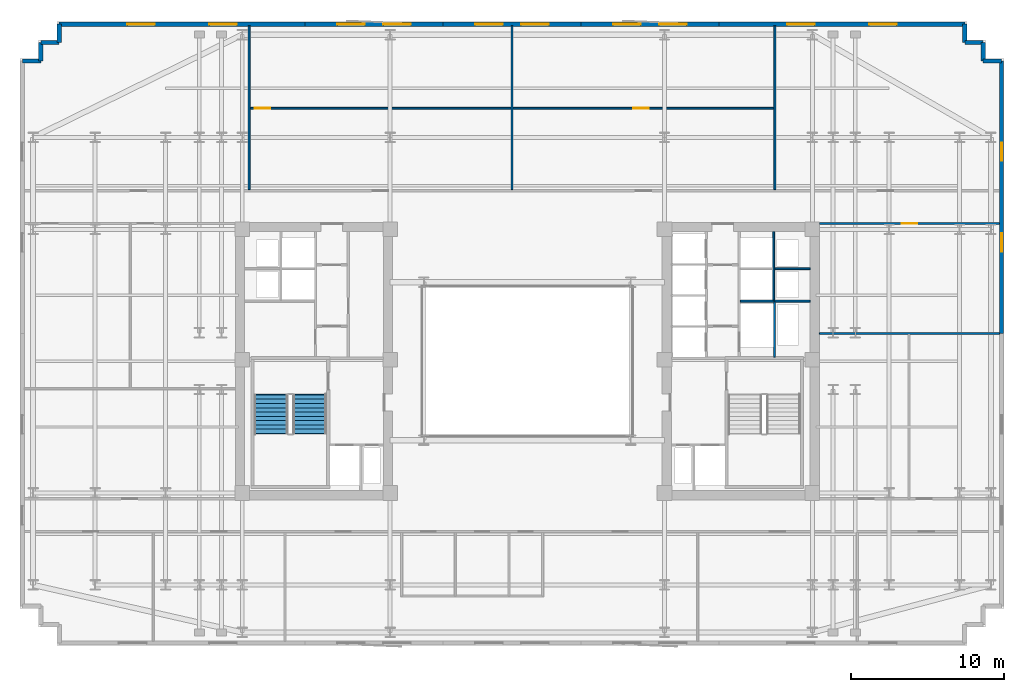
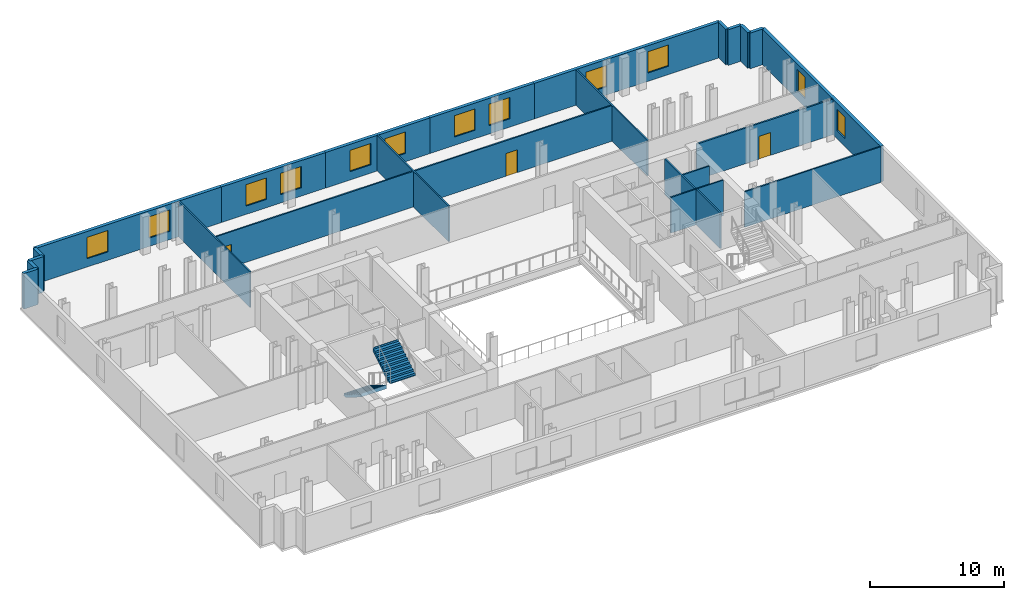
# One storey, part 7 of 10: 24 walls, 12 windows, 3 doors, 2 stair flights, 15 openings, 1 element without a shape of its own.
"""IFC4 building model written with IfcOpenShell, lengths in metres."""

from ifc_helpers import new_model, si_unit, direction, frame, frame_2d, origin, place, context, subcontext, project, spatial, polyline, rectangle, outline, extrude, material, layer, layer_set, type_object, element, fill, aggregate, save


model = new_model("IFC4")

# Units and contexts
model_context = context("Model", 3, precision=1e-05, world=origin(), true_north=direction((0.0, 1.0)))
body_context = subcontext(model_context, "Body", "Model", "MODEL_VIEW")
ifc_project = project(units=[si_unit("LENGTHUNIT", "METRE"), si_unit("AREAUNIT", "SQUARE_METRE"), si_unit("VOLUMEUNIT", "CUBIC_METRE"), si_unit("PLANEANGLEUNIT", "RADIAN"), si_unit("MASSUNIT", "GRAM", prefix="KILO")], contexts=[model_context])

# Site, building, storey
site_placement = place(None, origin())
site = spatial("IfcSite", under=ifc_project, at=site_placement, CompositionType="ELEMENT")
building_placement = place(site_placement, origin())
building = spatial("IfcBuilding", under=site, at=building_placement, Name="Velakula Bourse", CompositionType="ELEMENT")
storey_placement = place(building_placement, frame((0.0, 0.0, 141.550048828125)))
storey = spatial("IfcBuildingStorey", under=building, at=storey_placement, Name="L38", CompositionType="ELEMENT", Elevation=141.550048828125)

# Wall, openings, windows
ifc_material_1 = material(Name="Red kilned clay facing brick masonry", Category="masonry")
ifc_layer_1 = layer(ifc_material_1, 0.280029296875, Name="Red kilned clay facing brick masonry", Category="masonry")
ifc_layer_set_1 = layer_set([ifc_layer_1], Name="Red kilned clay facing brick masonry")
wall_type_1 = type_object("IfcWallType", Name="WL-EXT-BRK-280", PredefinedType="STANDARD", material=ifc_layer_set_1)
wall_1_placement = place(storey_placement, frame((-30.5400390625, 21.989990234375, 0.0), z_axis=(0.0, 0.0, 1.0), x_axis=(1.0, 0.0, 0.0)))
wall_1 = element("IfcWall", 1, at=wall_1_placement, inside=storey, type_object=wall_type_1, Name="L38 N Brick Spandrel Wall B1", PredefinedType="STANDARD", context=body_context, shape_type="SweptSolid", body=[
    extrude(rectangle(XDim=16.0400390625, YDim=0.280029296875, at=frame_2d((8.02001953125, 0.0))), origin(), (0.0, 0.0, 1.0), 3.25),
])
opening_1_placement = place(wall_1_placement, frame((4.44677734375, 0.0, 0.760009765625)))
opening_1 = element("IfcOpeningElement", 2, at=opening_1_placement, cuts=wall_1, Name="Opening W-01", PredefinedType="OPENING", context=body_context, shape_type="SweptSolid", body=[
    extrude(rectangle(XDim=1.800048828125, YDim=1.949951171875, at=frame_2d((0.89990234375, 0.97509765625))), frame((0.0, 0.14990234375, 0.0), z_axis=(0.0, -1.0, 0.0), x_axis=(1.0, 0.0, 0.0)), (0.0, 0.0, 1.0), 0.300048828125),
])
opening_2_placement = place(wall_1_placement, frame((9.793212890625, 0.0, 0.760009765625)))
opening_2 = element("IfcOpeningElement", 3, at=opening_2_placement, cuts=wall_1, Name="Opening W-01", PredefinedType="OPENING", context=body_context, shape_type="SweptSolid", body=[
    extrude(rectangle(XDim=1.800048828125, YDim=1.949951171875, at=frame_2d((0.89990234375, 0.97509765625))), frame((0.0, 0.14990234375, 0.0), z_axis=(0.0, -1.0, 0.0), x_axis=(1.0, 0.0, 0.0)), (0.0, 0.0, 1.0), 0.300048828125),
])
ifc_material_2 = material(Name="Double-glazed solar-control Low-E glass", Category="glass")
window_type_1 = type_object("IfcWindowType", Name="WIN-TWR-1800x2100", PartitioningType="SINGLE_PANEL", PredefinedType="WINDOW", material=ifc_material_2)
window_1_placement = place(opening_1_placement, origin())
window_1 = element("IfcWindow", 4, at=window_1_placement, inside=storey, type_object=window_type_1, Name="L38 Deep-Set Recessed Window 1", OverallHeight=1.949951171875, OverallWidth=1.800048828125, PartitioningType="SINGLE_PANEL", PredefinedType="WINDOW", context=body_context, shape_type="SweptSolid", body=[
    extrude(rectangle(XDim=1.800048828125, YDim=1.949951171875, at=frame_2d((0.89990234375, 0.97509765625))), frame((0.0, 0.030029296875, 0.0), z_axis=(0.0, -1.0, 0.0), x_axis=(1.0, 0.0, 0.0)), (0.0, 0.0, 1.0), 0.06005859375),
])
fill(opening_1, window_1)
window_2_placement = place(opening_2_placement, origin())
window_2 = element("IfcWindow", 5, at=window_2_placement, inside=storey, type_object=window_type_1, Name="L38 Deep-Set Recessed Window 2", OverallHeight=1.949951171875, OverallWidth=1.800048828125, PartitioningType="SINGLE_PANEL", PredefinedType="WINDOW", context=body_context, shape_type="SweptSolid", body=[
    extrude(rectangle(XDim=1.800048828125, YDim=1.949951171875, at=frame_2d((0.89990234375, 0.97509765625))), frame((0.0, 0.030029296875, 0.0), z_axis=(0.0, -1.0, 0.0), x_axis=(1.0, 0.0, 0.0)), (0.0, 0.0, 1.0), 0.06005859375),
])
fill(opening_2, window_2)

wall_2_placement = place(storey_placement, frame((-14.5, 21.989990234375, 0.0), z_axis=(0.0, 0.0, 1.0), x_axis=(1.0, 0.0, 0.0)))
wall_2 = element("IfcWall", 6, at=wall_2_placement, inside=storey, type_object=wall_type_1, Name="L38 N Brick Spandrel Wall B2", PredefinedType="STANDARD", context=body_context, shape_type="SweptSolid", body=[
    extrude(rectangle(XDim=9.0, YDim=0.280029296875, at=frame_2d((4.5, 0.0))), origin(), (0.0, 0.0, 1.0), 3.25),
])
opening_3_placement = place(wall_2_placement, frame((2.10009765625, 0.0, 0.760009765625)))
opening_3 = element("IfcOpeningElement", 7, at=opening_3_placement, cuts=wall_2, Name="Opening W-01", PredefinedType="OPENING", context=body_context, shape_type="SweptSolid", body=[
    extrude(rectangle(XDim=1.800048828125, YDim=1.949951171875, at=frame_2d((0.89990234375, 0.97509765625))), frame((0.0, 0.14990234375, 0.0), z_axis=(0.0, -1.0, 0.0), x_axis=(1.0, 0.0, 0.0)), (0.0, 0.0, 1.0), 0.300048828125),
])
opening_4_placement = place(wall_2_placement, frame((5.10009765625, 0.0, 0.760009765625)))
opening_4 = element("IfcOpeningElement", 8, at=opening_4_placement, cuts=wall_2, Name="Opening W-01", PredefinedType="OPENING", context=body_context, shape_type="SweptSolid", body=[
    extrude(rectangle(XDim=1.800048828125, YDim=1.949951171875, at=frame_2d((0.89990234375, 0.97509765625))), frame((0.0, 0.14990234375, 0.0), z_axis=(0.0, -1.0, 0.0), x_axis=(1.0, 0.0, 0.0)), (0.0, 0.0, 1.0), 0.300048828125),
])
window_3_placement = place(opening_3_placement, origin())
window_3 = element("IfcWindow", 9, at=window_3_placement, inside=storey, type_object=window_type_1, Name="L38 Deep-Set Recessed Window 1", OverallHeight=1.949951171875, OverallWidth=1.800048828125, PartitioningType="SINGLE_PANEL", PredefinedType="WINDOW", context=body_context, shape_type="SweptSolid", body=[
    extrude(rectangle(XDim=1.800048828125, YDim=1.949951171875, at=frame_2d((0.89990234375, 0.97509765625))), frame((0.0, 0.030029296875, 0.0), z_axis=(0.0, -1.0, 0.0), x_axis=(1.0, 0.0, 0.0)), (0.0, 0.0, 1.0), 0.06005859375),
])
fill(opening_3, window_3)
window_4_placement = place(opening_4_placement, origin())
window_4 = element("IfcWindow", 10, at=window_4_placement, inside=storey, type_object=window_type_1, Name="L38 Deep-Set Recessed Window 2", OverallHeight=1.949951171875, OverallWidth=1.800048828125, PartitioningType="SINGLE_PANEL", PredefinedType="WINDOW", context=body_context, shape_type="SweptSolid", body=[
    extrude(rectangle(XDim=1.800048828125, YDim=1.949951171875, at=frame_2d((0.89990234375, 0.97509765625))), frame((0.0, 0.030029296875, 0.0), z_axis=(0.0, -1.0, 0.0), x_axis=(1.0, 0.0, 0.0)), (0.0, 0.0, 1.0), 0.06005859375),
])
fill(opening_4, window_4)

wall_3_placement = place(storey_placement, frame((-5.5, 21.989990234375, 0.0), z_axis=(0.0, 0.0, 1.0), x_axis=(1.0, 0.0, 0.0)))
wall_3 = element("IfcWall", 11, at=wall_3_placement, inside=storey, type_object=wall_type_1, Name="L38 N Brick Spandrel Wall B3", PredefinedType="STANDARD", context=body_context, shape_type="SweptSolid", body=[
    extrude(rectangle(XDim=9.0, YDim=0.280029296875, at=frame_2d((4.5, 0.0))), origin(), (0.0, 0.0, 1.0), 3.25),
])
opening_5_placement = place(wall_3_placement, frame((2.10009765625, 0.0, 0.760009765625)))
opening_5 = element("IfcOpeningElement", 12, at=opening_5_placement, cuts=wall_3, Name="Opening W-01", PredefinedType="OPENING", context=body_context, shape_type="SweptSolid", body=[
    extrude(rectangle(XDim=1.800048828125, YDim=1.949951171875, at=frame_2d((0.89990234375, 0.97509765625))), frame((0.0, 0.14990234375, 0.0), z_axis=(0.0, -1.0, 0.0), x_axis=(1.0, 0.0, 0.0)), (0.0, 0.0, 1.0), 0.300048828125),
])
opening_6_placement = place(wall_3_placement, frame((5.10009765625, 0.0, 0.760009765625)))
opening_6 = element("IfcOpeningElement", 13, at=opening_6_placement, cuts=wall_3, Name="Opening W-01", PredefinedType="OPENING", context=body_context, shape_type="SweptSolid", body=[
    extrude(rectangle(XDim=1.800048828125, YDim=1.949951171875, at=frame_2d((0.89990234375, 0.97509765625))), frame((0.0, 0.14990234375, 0.0), z_axis=(0.0, -1.0, 0.0), x_axis=(1.0, 0.0, 0.0)), (0.0, 0.0, 1.0), 0.300048828125),
])
window_5_placement = place(opening_5_placement, origin())
window_5 = element("IfcWindow", 14, at=window_5_placement, inside=storey, type_object=window_type_1, Name="L38 Deep-Set Recessed Window 1", OverallHeight=1.949951171875, OverallWidth=1.800048828125, PartitioningType="SINGLE_PANEL", PredefinedType="WINDOW", context=body_context, shape_type="SweptSolid", body=[
    extrude(rectangle(XDim=1.800048828125, YDim=1.949951171875, at=frame_2d((0.89990234375, 0.97509765625))), frame((0.0, 0.030029296875, 0.0), z_axis=(0.0, -1.0, 0.0), x_axis=(1.0, 0.0, 0.0)), (0.0, 0.0, 1.0), 0.06005859375),
])
fill(opening_5, window_5)
window_6_placement = place(opening_6_placement, origin())
window_6 = element("IfcWindow", 15, at=window_6_placement, inside=storey, type_object=window_type_1, Name="L38 Deep-Set Recessed Window 2", OverallHeight=1.949951171875, OverallWidth=1.800048828125, PartitioningType="SINGLE_PANEL", PredefinedType="WINDOW", context=body_context, shape_type="SweptSolid", body=[
    extrude(rectangle(XDim=1.800048828125, YDim=1.949951171875, at=frame_2d((0.89990234375, 0.97509765625))), frame((0.0, 0.030029296875, 0.0), z_axis=(0.0, -1.0, 0.0), x_axis=(1.0, 0.0, 0.0)), (0.0, 0.0, 1.0), 0.06005859375),
])
fill(opening_6, window_6)

wall_4_placement = place(storey_placement, frame((3.5, 21.989990234375, 0.0), z_axis=(0.0, 0.0, 1.0), x_axis=(1.0, 0.0, 0.0)))
wall_4 = element("IfcWall", 16, at=wall_4_placement, inside=storey, type_object=wall_type_1, Name="L38 N Brick Spandrel Wall B4", PredefinedType="STANDARD", context=body_context, shape_type="SweptSolid", body=[
    extrude(rectangle(XDim=9.0, YDim=0.280029296875, at=frame_2d((4.5, 0.0))), origin(), (0.0, 0.0, 1.0), 3.25),
])
opening_7_placement = place(wall_4_placement, frame((2.10009765625, 0.0, 0.760009765625)))
opening_7 = element("IfcOpeningElement", 17, at=opening_7_placement, cuts=wall_4, Name="Opening W-01", PredefinedType="OPENING", context=body_context, shape_type="SweptSolid", body=[
    extrude(rectangle(XDim=1.800048828125, YDim=1.949951171875, at=frame_2d((0.89990234375, 0.97509765625))), frame((0.0, 0.14990234375, 0.0), z_axis=(0.0, -1.0, 0.0), x_axis=(1.0, 0.0, 0.0)), (0.0, 0.0, 1.0), 0.300048828125),
])
opening_8_placement = place(wall_4_placement, frame((5.10009765625, 0.0, 0.760009765625)))
opening_8 = element("IfcOpeningElement", 18, at=opening_8_placement, cuts=wall_4, Name="Opening W-01", PredefinedType="OPENING", context=body_context, shape_type="SweptSolid", body=[
    extrude(rectangle(XDim=1.800048828125, YDim=1.949951171875, at=frame_2d((0.89990234375, 0.97509765625))), frame((0.0, 0.14990234375, 0.0), z_axis=(0.0, -1.0, 0.0), x_axis=(1.0, 0.0, 0.0)), (0.0, 0.0, 1.0), 0.300048828125),
])
window_7_placement = place(opening_7_placement, origin())
window_7 = element("IfcWindow", 19, at=window_7_placement, inside=storey, type_object=window_type_1, Name="L38 Deep-Set Recessed Window 1", OverallHeight=1.949951171875, OverallWidth=1.800048828125, PartitioningType="SINGLE_PANEL", PredefinedType="WINDOW", context=body_context, shape_type="SweptSolid", body=[
    extrude(rectangle(XDim=1.800048828125, YDim=1.949951171875, at=frame_2d((0.89990234375, 0.97509765625))), frame((0.0, 0.030029296875, 0.0), z_axis=(0.0, -1.0, 0.0), x_axis=(1.0, 0.0, 0.0)), (0.0, 0.0, 1.0), 0.06005859375),
])
fill(opening_7, window_7)
window_8_placement = place(opening_8_placement, origin())
window_8 = element("IfcWindow", 20, at=window_8_placement, inside=storey, type_object=window_type_1, Name="L38 Deep-Set Recessed Window 2", OverallHeight=1.949951171875, OverallWidth=1.800048828125, PartitioningType="SINGLE_PANEL", PredefinedType="WINDOW", context=body_context, shape_type="SweptSolid", body=[
    extrude(rectangle(XDim=1.800048828125, YDim=1.949951171875, at=frame_2d((0.89990234375, 0.97509765625))), frame((0.0, 0.030029296875, 0.0), z_axis=(0.0, -1.0, 0.0), x_axis=(1.0, 0.0, 0.0)), (0.0, 0.0, 1.0), 0.06005859375),
])
fill(opening_8, window_8)

wall_5_placement = place(storey_placement, frame((12.5, 21.989990234375, 0.0), z_axis=(0.0, 0.0, 1.0), x_axis=(1.0, 0.0, 0.0)))
wall_5 = element("IfcWall", 21, at=wall_5_placement, inside=storey, type_object=wall_type_1, Name="L38 N Brick Spandrel Wall B5", PredefinedType="STANDARD", context=body_context, shape_type="SweptSolid", body=[
    extrude(rectangle(XDim=16.0400390625, YDim=0.280029296875, at=frame_2d((8.02001953125, 0.0))), origin(), (0.0, 0.0, 1.0), 3.25),
])
opening_9_placement = place(wall_5_placement, frame((4.44677734375, 0.0, 0.760009765625)))
opening_9 = element("IfcOpeningElement", 22, at=opening_9_placement, cuts=wall_5, Name="Opening W-01", PredefinedType="OPENING", context=body_context, shape_type="SweptSolid", body=[
    extrude(rectangle(XDim=1.800048828125, YDim=1.949951171875, at=frame_2d((0.89990234375, 0.97509765625))), frame((0.0, 0.14990234375, 0.0), z_axis=(0.0, -1.0, 0.0), x_axis=(1.0, 0.0, 0.0)), (0.0, 0.0, 1.0), 0.300048828125),
])
opening_10_placement = place(wall_5_placement, frame((9.793212890625, 0.0, 0.760009765625)))
opening_10 = element("IfcOpeningElement", 23, at=opening_10_placement, cuts=wall_5, Name="Opening W-01", PredefinedType="OPENING", context=body_context, shape_type="SweptSolid", body=[
    extrude(rectangle(XDim=1.800048828125, YDim=1.949951171875, at=frame_2d((0.89990234375, 0.97509765625))), frame((0.0, 0.14990234375, 0.0), z_axis=(0.0, -1.0, 0.0), x_axis=(1.0, 0.0, 0.0)), (0.0, 0.0, 1.0), 0.300048828125),
])
window_9_placement = place(opening_9_placement, origin())
window_9 = element("IfcWindow", 24, at=window_9_placement, inside=storey, type_object=window_type_1, Name="L38 Deep-Set Recessed Window 1", OverallHeight=1.949951171875, OverallWidth=1.800048828125, PartitioningType="SINGLE_PANEL", PredefinedType="WINDOW", context=body_context, shape_type="SweptSolid", body=[
    extrude(rectangle(XDim=1.800048828125, YDim=1.949951171875, at=frame_2d((0.89990234375, 0.97509765625))), frame((0.0, 0.030029296875, 0.0), z_axis=(0.0, -1.0, 0.0), x_axis=(1.0, 0.0, 0.0)), (0.0, 0.0, 1.0), 0.06005859375),
])
fill(opening_9, window_9)
window_10_placement = place(opening_10_placement, origin())
window_10 = element("IfcWindow", 25, at=window_10_placement, inside=storey, type_object=window_type_1, Name="L38 Deep-Set Recessed Window 2", OverallHeight=1.949951171875, OverallWidth=1.800048828125, PartitioningType="SINGLE_PANEL", PredefinedType="WINDOW", context=body_context, shape_type="SweptSolid", body=[
    extrude(rectangle(XDim=1.800048828125, YDim=1.949951171875, at=frame_2d((0.89990234375, 0.97509765625))), frame((0.0, 0.030029296875, 0.0), z_axis=(0.0, -1.0, 0.0), x_axis=(1.0, 0.0, 0.0)), (0.0, 0.0, 1.0), 0.06005859375),
])
fill(opening_10, window_10)

wall_6_placement = place(storey_placement, frame((30.93994140625, 19.590087890625, 0.0), z_axis=(0.0, 0.0, 1.0), x_axis=(0.0, -1.0, 0.0)))
wall_6 = element("IfcWall", 26, at=wall_6_placement, inside=storey, type_object=wall_type_1, Name="L38 E Brick End Wall W2", PredefinedType="STANDARD", context=body_context, shape_type="SweptSolid", body=[
    extrude(rectangle(XDim=17.7900390625, YDim=0.280029296875, at=frame_2d((8.89501953125, 0.0))), origin(), (0.0, 0.0, 1.0), 3.25),
])
opening_11_placement = place(wall_6_placement, frame((5.330078125, 0.0, 0.760009765625)))
opening_11 = element("IfcOpeningElement", 27, at=opening_11_placement, cuts=wall_6, Name="Opening W-04", PredefinedType="OPENING", context=body_context, shape_type="SweptSolid", body=[
    extrude(rectangle(XDim=1.199951171875, YDim=1.949951171875, at=frame_2d((0.60009765625, 0.97509765625))), frame((0.0, 0.14990234375, 0.0), z_axis=(0.0, -1.0, 0.0), x_axis=(1.0, 0.0, 0.0)), (0.0, 0.0, 1.0), 0.300048828125),
])
opening_12_placement = place(wall_6_placement, frame((11.260009765625, 0.0, 0.760009765625)))
opening_12 = element("IfcOpeningElement", 28, at=opening_12_placement, cuts=wall_6, Name="Opening W-04", PredefinedType="OPENING", context=body_context, shape_type="SweptSolid", body=[
    extrude(rectangle(XDim=1.199951171875, YDim=1.949951171875, at=frame_2d((0.60009765625, 0.97509765625))), frame((0.0, 0.14990234375, 0.0), z_axis=(0.0, -1.0, 0.0), x_axis=(1.0, 0.0, 0.0)), (0.0, 0.0, 1.0), 0.300048828125),
])
window_type_2 = type_object("IfcWindowType", Name="WIN-TWR-1200x2100", PartitioningType="SINGLE_PANEL", PredefinedType="WINDOW", material=ifc_material_2)
window_11_placement = place(opening_11_placement, origin())
window_11 = element("IfcWindow", 29, at=window_11_placement, inside=storey, type_object=window_type_2, Name="L38 Deep-Set Recessed Window 1", OverallHeight=1.949951171875, OverallWidth=1.199951171875, PartitioningType="SINGLE_PANEL", PredefinedType="WINDOW", context=body_context, shape_type="SweptSolid", body=[
    extrude(rectangle(XDim=1.199951171875, YDim=1.949951171875, at=frame_2d((0.60009765625, 0.97509765625))), frame((0.0, 0.030029296875, 0.0), z_axis=(0.0, -1.0, 0.0), x_axis=(1.0, 0.0, 0.0)), (0.0, 0.0, 1.0), 0.06005859375),
])
fill(opening_11, window_11)
window_12_placement = place(opening_12_placement, origin())
window_12 = element("IfcWindow", 30, at=window_12_placement, inside=storey, type_object=window_type_2, Name="L38 Deep-Set Recessed Window 2", OverallHeight=1.949951171875, OverallWidth=1.199951171875, PartitioningType="SINGLE_PANEL", PredefinedType="WINDOW", context=body_context, shape_type="SweptSolid", body=[
    extrude(rectangle(XDim=1.199951171875, YDim=1.949951171875, at=frame_2d((0.60009765625, 0.97509765625))), frame((0.0, 0.030029296875, 0.0), z_axis=(0.0, -1.0, 0.0), x_axis=(1.0, 0.0, 0.0)), (0.0, 0.0, 1.0), 0.06005859375),
])
fill(opening_12, window_12)

# Walls
for number, where, z_axis, x_axis, name in (
    (31, (30.93994140625, 19.590087890625, 0.0), (0.0, 0.0, 1.0), (-1.0, 0.0, 0.0), "L38 Serrated Corner Brick Wall NE-1"),
    (32, (29.739990234375, 19.590087890625, 0.0), (0.0, 0.0, 1.0), (0.0, 1.0, 0.0), "L38 Serrated Corner Brick Wall NE-2"),
    (33, (29.739990234375, 20.7900390625, 0.0), (0.0, 0.0, 1.0), (-1.0, 0.0, 0.0), "L38 Serrated Corner Brick Wall NE-3"),
    (34, (28.5400390625, 20.7900390625, 0.0), (0.0, 0.0, 1.0), (0.0, 1.0, 0.0), "L38 Serrated Corner Brick Wall NE-4"),
    (35, (-30.5400390625, 21.989990234375, 0.0), (0.0, 0.0, 1.0), (0.0, -1.0, 0.0), "L38 Serrated Corner Brick Wall NW-1"),
    (36, (-30.5400390625, 20.7900390625, 0.0), (0.0, 0.0, 1.0), (-1.0, 0.0, 0.0), "L38 Serrated Corner Brick Wall NW-2"),
    (37, (-31.739990234375, 20.7900390625, 0.0), (0.0, 0.0, 1.0), (0.0, -1.0, 0.0), "L38 Serrated Corner Brick Wall NW-3"),
    (38, (-31.739990234375, 19.590087890625, 0.0), (0.0, 0.0, 1.0), (-1.0, 0.0, 0.0), "L38 Serrated Corner Brick Wall NW-4"),
):
    element("IfcWall", number, at=place(storey_placement, frame(where, z_axis=z_axis, x_axis=x_axis)), inside=storey, type_object=wall_type_1, Name=name, PredefinedType="STANDARD", context=body_context, shape_type="SweptSolid", body=[
        extrude(rectangle(XDim=1.199951171875, YDim=0.280029296875, at=frame_2d((0.60009765625, 0.0))), origin(), (0.0, 0.0, 1.0), 3.25),
    ])
ifc_material_3 = material(Name="Fire-rated double-layer gypsum drywall partition", Category="gypsum")
ifc_layer_2 = layer(ifc_material_3, 0.1201171875, Name="Fire-rated double-layer gypsum drywall partition", Category="gypsum")
ifc_layer_set_2 = layer_set([ifc_layer_2], Name="Fire-rated double-layer gypsum drywall partition")
wall_type_2 = type_object("IfcWallType", Name="WL-PART-120", PredefinedType="STANDARD", material=ifc_layer_set_2)
wall_7_placement = place(storey_placement, frame((13.89990234375, 3.919921875, 0.0), z_axis=(0.0, 0.0, 1.0), x_axis=(1.0, 0.0, 0.0)))
element("IfcWall", 39, at=wall_7_placement, inside=storey, type_object=wall_type_2, Name="L38 Interior Partition WL-CRE-L38-HI-S", PredefinedType="STANDARD", context=body_context, shape_type="SweptSolid", body=[
    extrude(rectangle(XDim=4.550048828125, YDim=0.1201171875, at=frame_2d((2.27490234375, 0.0))), origin(), (0.0, 0.0, 1.0), 3.25),
])
wall_8_placement = place(storey_placement, frame((16.14990234375, 6.030029296875, 0.0), z_axis=(0.0, 0.0, 1.0), x_axis=(1.0, 0.0, 0.0)))
element("IfcWall", 40, at=wall_8_placement, inside=storey, type_object=wall_type_2, Name="L38 Interior Partition WL-CRE-L38-RIS-MID", PredefinedType="STANDARD", context=body_context, shape_type="SweptSolid", body=[
    extrude(rectangle(XDim=2.300048828125, YDim=0.1201171875, at=frame_2d((1.14990234375, 0.0))), origin(), (0.0, 0.0, 1.0), 3.25),
])
wall_9_placement = place(storey_placement, frame((16.074951171875, 3.97998046875, 0.0), z_axis=(0.0, 0.0, 1.0), x_axis=(0.0, 1.0, 0.0)))
element("IfcWall", 41, at=wall_9_placement, inside=storey, type_object=wall_type_2, Name="L38 Interior Partition WL-CRE-L38-RIS-F", PredefinedType="STANDARD", context=body_context, shape_type="SweptSolid", body=[
    extrude(rectangle(XDim=4.469970703125, YDim=0.1201171875, at=frame_2d((2.23486328125, 0.0))), origin(), (0.0, 0.0, 1.0), 3.25),
])
wall_10_placement = place(storey_placement, frame((16.125, 0.27001953125, 0.0), z_axis=(0.0, 0.0, 1.0), x_axis=(0.0, 1.0, 0.0)))
element("IfcWall", 42, at=wall_10_placement, inside=storey, type_object=wall_type_2, Name="L38 Interior Partition WL-CRE-L38-SVL-E", PredefinedType="STANDARD", context=body_context, shape_type="SweptSolid", body=[
    extrude(rectangle(XDim=3.590087890625, YDim=0.1201171875, at=frame_2d((1.794921875, 0.0))), origin(), (0.0, 0.0, 1.0), 3.25),
])
for number, where, z_axis, x_axis, name in (
    (43, (-18.14990234375, 11.18994140625, 0.0), (0.0, 0.0, 1.0), (0.0, 1.0, 0.0), "L38 Interior Partition WL-INT-L38-N-D1"),
    (44, (-1.0, 11.18994140625, 0.0), (0.0, 0.0, 1.0), (0.0, 1.0, 0.0), "L38 Interior Partition WL-INT-L38-N-D2"),
    (45, (16.14990234375, 11.18994140625, 0.0), (0.0, 0.0, 1.0), (0.0, 1.0, 0.0), "L38 Interior Partition WL-INT-L38-N-D3"),
):
    element("IfcWall", number, at=place(storey_placement, frame(where, z_axis=z_axis, x_axis=x_axis)), inside=storey, type_object=wall_type_2, Name=name, PredefinedType="STANDARD", context=body_context, shape_type="SweptSolid", body=[
        extrude(rectangle(XDim=10.68017578125, YDim=0.1201171875, at=frame_2d((5.340087890625, 0.0))), origin(), (0.0, 0.0, 1.0), 3.25),
    ])

# Wall, openings, doors
wall_11_placement = place(storey_placement, frame((-18.090087890625, 16.5, 0.0), z_axis=(0.0, 0.0, 1.0), x_axis=(1.0, 0.0, 0.0)))
wall_11 = element("IfcWall", 46, at=wall_11_placement, inside=storey, type_object=wall_type_2, Name="L38 Interior Partition WL-INT-L38-N-MID", PredefinedType="STANDARD", context=body_context, shape_type="SweptSolid", body=[
    extrude(rectangle(XDim=34.18017578125, YDim=0.1201171875, at=frame_2d((17.090087890625, 0.0))), origin(), (0.0, 0.0, 1.0), 3.25),
])
opening_13_placement = place(wall_11_placement, frame((0.320068359375, 0.0, 0.0)))
opening_13 = element("IfcOpeningElement", 47, at=opening_13_placement, cuts=wall_11, Name="Opening D-OF1", PredefinedType="OPENING", context=body_context, shape_type="SweptSolid", body=[
    extrude(rectangle(XDim=1.0, YDim=2.080078125, at=frame_2d((0.5, 1.0400390625))), frame((0.0, 0.070068359375, 0.0), z_axis=(0.0, -1.0, 0.0), x_axis=(1.0, 0.0, 0.0)), (0.0, 0.0, 1.0), 0.14013671875),
])
opening_14_placement = place(wall_11_placement, frame((25.0078125, 0.0, 0.0)))
opening_14 = element("IfcOpeningElement", 48, at=opening_14_placement, cuts=wall_11, Name="Opening D-OF1", PredefinedType="OPENING", context=body_context, shape_type="SweptSolid", body=[
    extrude(rectangle(XDim=1.0, YDim=2.080078125, at=frame_2d((0.5, 1.0400390625))), frame((0.0, 0.070068359375, 0.0), z_axis=(0.0, -1.0, 0.0), x_axis=(1.0, 0.0, 0.0)), (0.0, 0.0, 1.0), 0.14013671875),
])
ifc_material_4 = material(Name="Fire-rated hardwood flush architectural door", Category="wood")
door_type = type_object("IfcDoorType", Name="DR-OFF-1000", OperationType="NOTDEFINED", PredefinedType="DOOR", material=ifc_material_4)
door_1_placement = place(opening_13_placement, origin())
door_1 = element("IfcDoor", 49, at=door_1_placement, inside=storey, type_object=door_type, Name="L38 Disciplinary Hearing Room Door", OperationType="SINGLE_SWING_LEFT", OverallHeight=2.080078125, OverallWidth=1.0, PredefinedType="DOOR", context=body_context, shape_type="SweptSolid", body=[
    extrude(rectangle(XDim=1.0, YDim=2.080078125, at=frame_2d((0.5, 1.0400390625))), frame((0.0, 0.02490234375, 0.0), z_axis=(0.0, -1.0, 0.0), x_axis=(1.0, 0.0, 0.0)), (0.0, 0.0, 1.0), 0.050048828125),
])
fill(opening_13, door_1)
door_2_placement = place(opening_14_placement, origin())
door_2 = element("IfcDoor", 50, at=door_2_placement, inside=storey, type_object=door_type, Name="L38 Traders Pantry Door", OperationType="SINGLE_SWING_LEFT", OverallHeight=2.080078125, OverallWidth=1.0, PredefinedType="DOOR", context=body_context, shape_type="SweptSolid", body=[
    extrude(rectangle(XDim=1.0, YDim=2.080078125, at=frame_2d((0.5, 1.0400390625))), frame((0.0, 0.02490234375, 0.0), z_axis=(0.0, -1.0, 0.0), x_axis=(1.0, 0.0, 0.0)), (0.0, 0.0, 1.0), 0.050048828125),
])
fill(opening_14, door_2)

# Wall
wall_12_placement = place(storey_placement, frame((19.050048828125, 1.800048828125, 0.0), z_axis=(0.0, 0.0, 1.0), x_axis=(1.0, 0.0, 0.0)))
element("IfcWall", 51, at=wall_12_placement, inside=storey, type_object=wall_type_2, Name="L38 Interior Partition WL-INT-L38-E-H", PredefinedType="STANDARD", context=body_context, shape_type="SweptSolid", body=[
    extrude(rectangle(XDim=11.77001953125, YDim=0.1201171875, at=frame_2d((5.885009765625, 0.0))), origin(), (0.0, 0.0, 1.0), 3.25),
])

# Wall, opening, door
ifc_layer_3 = layer(ifc_material_3, 0.139892578125, Name="Fire-rated double-layer gypsum drywall partition", Category="gypsum")
ifc_layer_set_3 = layer_set([ifc_layer_3], Name="Fire-rated double-layer gypsum drywall partition")
wall_type_3 = type_object("IfcWallType", Name="WL-PART-140", PredefinedType="STANDARD", material=ifc_layer_set_3)
wall_13_placement = place(storey_placement, frame((19.050048828125, 8.97998046875, 0.0), z_axis=(0.0, 0.0, 1.0), x_axis=(1.0, 0.0, 0.0)))
wall_13 = element("IfcWall", 52, at=wall_13_placement, inside=storey, type_object=wall_type_3, Name="L38 Interior Partition WL-INT-L38-E-NC", PredefinedType="STANDARD", context=body_context, shape_type="SweptSolid", body=[
    extrude(rectangle(XDim=11.77001953125, YDim=0.139892578125, at=frame_2d((5.885009765625, 0.0))), origin(), (0.0, 0.0, 1.0), 3.25),
])
opening_15_placement = place(wall_13_placement, frame((5.385009765625, 0.0, 0.0)))
opening_15 = element("IfcOpeningElement", 53, at=opening_15_placement, cuts=wall_13, Name="Opening D-OF1", PredefinedType="OPENING", context=body_context, shape_type="SweptSolid", body=[
    extrude(rectangle(XDim=1.0, YDim=2.080078125, at=frame_2d((0.5, 1.0400390625))), frame((0.0, 0.079833984375, 0.0), z_axis=(0.0, -1.0, 0.0), x_axis=(1.0, 0.0, 0.0)), (0.0, 0.0, 1.0), 0.159912109375),
])
door_3_placement = place(opening_15_placement, origin())
door_3 = element("IfcDoor", 54, at=door_3_placement, inside=storey, type_object=door_type, Name="L38 Asset Allocation Office Door", OperationType="SINGLE_SWING_LEFT", OverallHeight=2.080078125, OverallWidth=1.0, PredefinedType="DOOR", context=body_context, shape_type="SweptSolid", body=[
    extrude(rectangle(XDim=1.0, YDim=2.080078125, at=frame_2d((0.5, 1.0400390625))), frame((0.0, 0.02490234375, 0.0), z_axis=(0.0, -1.0, 0.0), x_axis=(1.0, 0.0, 0.0)), (0.0, 0.0, 1.0), 0.050048828125),
])
fill(opening_15, door_3)

# Stair, stair flights
ifc_material_5 = material(Name="Concrete M45 (fck 45 MPa)", Category="concrete")
stair_type = type_object("IfcStairType", Name="STR-DOG-390", PredefinedType="HALF_TURN_STAIR", material=ifc_material_5)
stair_placement = place(storey_placement, origin())
stair = element("IfcStair", 55, at=stair_placement, inside=storey, type_object=stair_type, Name="L38 West Core Exit Stair ST-W1", PredefinedType="HALF_TURN_STAIR")
ifc_layer_4 = layer(ifc_material_5, 0.195068359375, Name="Concrete M45 (fck 45 MPa)", Category="concrete")
ifc_layer_set_4 = layer_set([ifc_layer_4], Name="Concrete M45 (fck 45 MPa)")
stair_flight_type = type_object("IfcStairFlightType", Name="FLT-DOG-390", PredefinedType="STRAIGHT", material=ifc_layer_set_4)
stair_flight_1_placement = place(storey_placement, frame((-16.720947265625, -2.199951171875, 0.0), z_axis=(0.0, 0.0, 1.0), x_axis=(0.0, -1.0, 0.0)))
stair_flight_1 = element("IfcStairFlight", 56, at=stair_flight_1_placement, type_object=stair_flight_type, Name="ST-W1 flight 1", NumberOfRisers=10, NumberOfTreads=9, PredefinedType="STRAIGHT", RiserHeight=0.1725, TreadLength=0.28, context=body_context, shape_type="SweptSolid", body=[
    extrude(outline(polyline([(-0.044921875, -0.0400390625), (-0.044921875, -0.036865234375), (-0.044921875, -0.033935546875), (-0.044921875, -0.03076171875), (-0.044921875, -0.027587890625), (-0.044921875, -0.024658203125), (-0.044921875, -0.021484375), (-0.044921875, -0.0185546875), (-0.044921875, -0.015380859375), (-0.044921875, -0.01220703125), (-0.044921875, -0.00927734375), (-0.044921875, -0.006103515625), (-0.044921875, -0.003173828125), (-0.044921875, 0.0), (0.0, 0.0), (0.0, 0.172607421875), (0.280029296875, 0.172607421875), (0.280029296875, 0.344970703125), (0.56005859375, 0.344970703125), (0.56005859375, 0.517578125), (0.840087890625, 0.517578125), (0.840087890625, 0.68994140625), (1.1201171875, 0.68994140625), (1.1201171875, 0.862548828125), (1.39990234375, 0.862548828125), (1.39990234375, 1.034912109375), (1.679931640625, 1.034912109375), (1.679931640625, 1.20751953125), (1.9599609375, 1.20751953125), (1.9599609375, 1.3798828125), (2.239990234375, 1.3798828125), (2.239990234375, 1.552490234375), (2.52001953125, 1.552490234375), (2.52001953125, 1.72509765625), (2.56494140625, 1.72509765625), (2.56494140625, 1.7001953125), (2.56494140625, 1.67529296875), (2.56494140625, 1.650390625), (2.56494140625, 1.62548828125), (2.56494140625, 1.6005859375), (2.56494140625, 1.57568359375), (2.56494140625, 1.55078125), (2.56494140625, 1.52587890625), (2.56494140625, 1.5009765625), (2.56494140625, 1.47607421875), (2.56494140625, 1.451171875), (2.56494140625, 1.42626953125), (2.56494140625, 1.4013671875), (2.56494140625, 1.37646484375), (0.285888671875, -0.0400390625), (-0.044921875, -0.0400390625)])), frame((0.0, 1.09912109375, 0.0), z_axis=(0.0, -1.0, 0.0), x_axis=(1.0, 0.0, 0.0)), (0.0, 0.0, 1.0), 2.197998046875),
])
stair_flight_2_placement = place(storey_placement, frame((-14.198974609375, -4.719970703125, 1.724853515625), z_axis=(0.0, 0.0, 1.0), x_axis=(0.0, 1.0, 0.0)))
stair_flight_2 = element("IfcStairFlight", 57, at=stair_flight_2_placement, type_object=stair_flight_type, Name="ST-W1 flight 2", NumberOfRisers=10, NumberOfTreads=9, PredefinedType="STRAIGHT", RiserHeight=0.1725, TreadLength=0.28, context=body_context, shape_type="SweptSolid", body=[
    extrude(outline(polyline([(-0.044921875, -0.0400390625), (-0.044921875, -0.036865234375), (-0.044921875, -0.033935546875), (-0.044921875, -0.03076171875), (-0.044921875, -0.027587890625), (-0.044921875, -0.024658203125), (-0.044921875, -0.021484375), (-0.044921875, -0.0185546875), (-0.044921875, -0.015380859375), (-0.044921875, -0.01220703125), (-0.044921875, -0.00927734375), (-0.044921875, -0.006103515625), (-0.044921875, -0.003173828125), (-0.044921875, 0.0), (0.0, 0.0), (0.0, 0.172607421875), (0.280029296875, 0.172607421875), (0.280029296875, 0.344970703125), (0.56005859375, 0.344970703125), (0.56005859375, 0.517578125), (0.840087890625, 0.517578125), (0.840087890625, 0.68994140625), (1.1201171875, 0.68994140625), (1.1201171875, 0.862548828125), (1.39990234375, 0.862548828125), (1.39990234375, 1.034912109375), (1.679931640625, 1.034912109375), (1.679931640625, 1.20751953125), (1.9599609375, 1.20751953125), (1.9599609375, 1.3798828125), (2.239990234375, 1.3798828125), (2.239990234375, 1.552490234375), (2.52001953125, 1.552490234375), (2.52001953125, 1.72509765625), (2.56494140625, 1.72509765625), (2.56494140625, 1.7001953125), (2.56494140625, 1.67529296875), (2.56494140625, 1.650390625), (2.56494140625, 1.62548828125), (2.56494140625, 1.6005859375), (2.56494140625, 1.57568359375), (2.56494140625, 1.55078125), (2.56494140625, 1.52587890625), (2.56494140625, 1.5009765625), (2.56494140625, 1.47607421875), (2.56494140625, 1.451171875), (2.56494140625, 1.42626953125), (2.56494140625, 1.4013671875), (2.56494140625, 1.37646484375), (0.285888671875, -0.0400390625), (-0.044921875, -0.0400390625)])), frame((0.0, 1.09912109375, 0.0), z_axis=(0.0, -1.0, 0.0), x_axis=(1.0, 0.0, 0.0)), (0.0, 0.0, 1.0), 2.197998046875),
])
aggregate(stair, [stair_flight_1, stair_flight_2])

save(model, "model.ifc")
